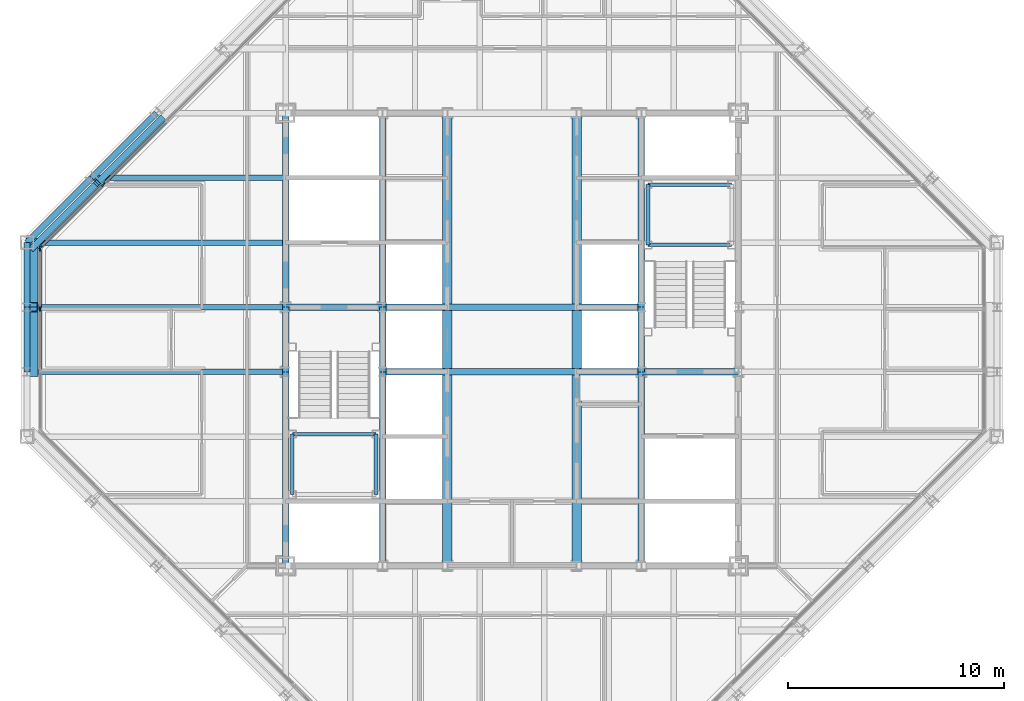
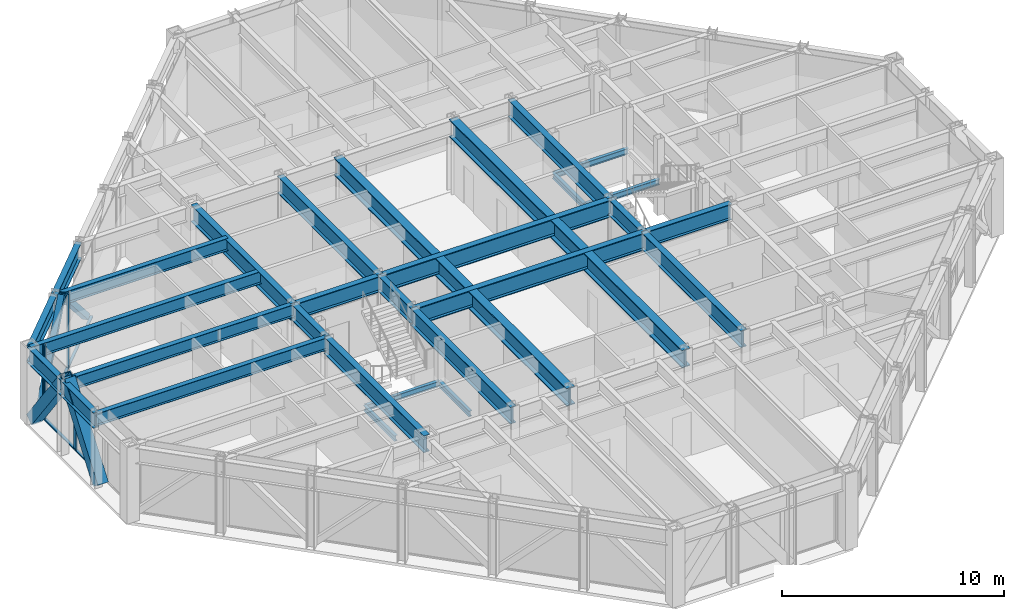
# One storey, part 6 of 15: 33 beams, 12 members, 2 elements without a shape of their own.
"""IFC4 building model written with IfcOpenShell, lengths in metres."""

from ifc_helpers import new_model, si_unit, direction, frame, origin, origin_2d, place, context, subcontext, project, spatial, rectangle, hollow_rectangle, i_section, extrude, material, layer, layer_set, material_profile, profile_set, type_object, element, aggregate, save


model = new_model("IFC4")

# Units and contexts
model_context = context("Model", 3, precision=1e-05, world=origin(), true_north=direction((0.0, 1.0)))
body_context = subcontext(model_context, "Body", "Model", "MODEL_VIEW")
ifc_project = project(units=[si_unit("LENGTHUNIT", "METRE"), si_unit("AREAUNIT", "SQUARE_METRE"), si_unit("VOLUMEUNIT", "CUBIC_METRE"), si_unit("PLANEANGLEUNIT", "RADIAN"), si_unit("MASSUNIT", "GRAM", prefix="KILO")], contexts=[model_context])

# Site, building, storey
site_placement = place(None, origin())
site = spatial("IfcSite", under=ifc_project, at=site_placement, CompositionType="ELEMENT")
building_placement = place(site_placement, origin())
building = spatial("IfcBuilding", under=site, at=building_placement, Name="Chuquiago Exchange Tower", CompositionType="ELEMENT")
storey_placement = place(building_placement, frame((0.0, 0.0, 291.60009765625)))
storey = spatial("IfcBuildingStorey", under=building, at=storey_placement, Name="L65", CompositionType="ELEMENT", Elevation=291.60009765625)

# Beams
ifc_material_1 = material(Name="Steel ASTM A992", Category="steel")
ifc_material_profile_1 = material_profile(ifc_material_1, i_section(OverallWidth=0.25390625, OverallDepth=0.683349609375, WebThickness=0.012451171875, FlangeThickness=0.018798828125, at=origin_2d()), Name="W27X94")
ifc_profile_set_1 = profile_set([ifc_material_profile_1], Name="Steel ASTM A992")
beam_type_1 = type_object("IfcBeamType", Name="B1 W27X94", PredefinedType="BEAM", material=ifc_profile_set_1)
for number, where, z_axis, x_axis, name in (
    (1, (12.0, 21.0, 3.6982421875), (-1.0, 0.0, 0.0), (0.0, -1.0, 0.0), "FB-L66-infill-12_21--0_21-0"),
    (2, (12.0, 24.0, 3.6982421875), (-1.0, 0.0, 0.0), (0.0, -1.0, 0.0), "FB-L66-infill-12_24--0_24-0"),
    (3, (12.0, 27.0, 3.6982421875), (-1.0, 0.0, 0.0), (0.0, -1.0, 0.0), "FB-L66-infill-12_27--0_27-0"),
):
    element("IfcBeam", number, at=place(storey_placement, frame(where, z_axis=z_axis, x_axis=x_axis)), inside=storey, type_object=beam_type_1, Name=name, PredefinedType="BEAM", context=body_context, shape_type="SweptSolid", body=[
        extrude(i_section(OverallWidth=0.25390625, OverallDepth=0.683349609375, WebThickness=0.012451171875, FlangeThickness=0.018798828125, at=origin_2d()), origin(), (0.0, 0.0, 1.0), 12.0),
    ])
beam_1_placement = place(storey_placement, frame((12.0, 30.0, 3.6982421875), z_axis=(-1.0, 0.0, 0.0), x_axis=(0.0, -1.0, 0.0)))
element("IfcBeam", 4, at=beam_1_placement, inside=storey, type_object=beam_type_1, Name="FB-L66-infill-12_30-3_30-0", PredefinedType="BEAM", context=body_context, shape_type="SweptSolid", body=[
    extrude(i_section(OverallWidth=0.25390625, OverallDepth=0.683349609375, WebThickness=0.012451171875, FlangeThickness=0.018798828125, at=origin_2d()), origin(), (0.0, 0.0, 1.0), 9.0),
])
ifc_material_2 = material(Name="Steel ASTM A992", Category="steel")
ifc_material_profile_2 = material_profile(ifc_material_2, i_section(OverallWidth=0.307373046875, OverallDepth=0.927001953125, WebThickness=0.01953125, FlangeThickness=0.031982421875, at=origin_2d()), Name="W36X194")
ifc_profile_set_2 = profile_set([ifc_material_profile_2], Name="Steel ASTM A992")
beam_type_2 = type_object("IfcBeamType", Name="B10 W36X194", PredefinedType="BEAM", material=ifc_profile_set_2)
for number, where, z_axis, x_axis, name in (
    (5, (12.0, 12.0, 3.576416015625), (0.0, 1.0, 0.0), (-1.0, 0.0, 0.0), "CB-L66-12_12-12_21"),
    (6, (12.0, 24.0, 3.576416015625), (0.0, 1.0, 0.0), (-1.0, 0.0, 0.0), "CB-L66-12_24-12_33"),
    (7, (16.5, 12.0, 3.576416015625), (0.0, 1.0, 0.0), (-1.0, 0.0, 0.0), "CB-L66-16.5_12-16.5_21"),
    (8, (16.5, 24.0, 3.576416015625), (0.0, 1.0, 0.0), (-1.0, 0.0, 0.0), "CB-L66-16.5_24-16.5_33"),
    (9, (28.5, 12.0, 3.576416015625), (0.0, 1.0, 0.0), (-1.0, 0.0, 0.0), "CB-L66-28.5_12-28.5_21"),
    (10, (28.5, 24.0, 3.576416015625), (0.0, 1.0, 0.0), (-1.0, 0.0, 0.0), "CB-L66-28.5_24-28.5_33"),
):
    element("IfcBeam", number, at=place(storey_placement, frame(where, z_axis=z_axis, x_axis=x_axis)), inside=storey, type_object=beam_type_2, Name=name, PredefinedType="BEAM", context=body_context, shape_type="SweptSolid", body=[
        extrude(i_section(OverallWidth=0.307373046875, OverallDepth=0.927001953125, WebThickness=0.01953125, FlangeThickness=0.031982421875, at=origin_2d()), origin(), (0.0, 0.0, 1.0), 9.0),
    ])
ifc_material_3 = material(Name="Steel ASTM A992", Category="steel")
ifc_material_profile_3 = material_profile(ifc_material_3, i_section(OverallWidth=0.309814453125, OverallDepth=0.949951171875, WebThickness=0.0244140625, FlangeThickness=0.0439453125, at=origin_2d()), Name="W36X256")
ifc_profile_set_3 = profile_set([ifc_material_profile_3], Name="Steel ASTM A992")
beam_type_3 = type_object("IfcBeamType", Name="B11 W36X256", PredefinedType="BEAM", material=ifc_profile_set_3)
for number, where, z_axis, x_axis, name in (
    (11, (16.5, 21.0, 3.56494140625), (1.0, 0.0, 0.0), (0.0, 1.0, 0.0), "CB-L66-16.5_21-28.5_21"),
    (12, (16.5, 24.0, 3.56494140625), (1.0, 0.0, 0.0), (0.0, 1.0, 0.0), "CB-L66-16.5_24-28.5_24"),
):
    element("IfcBeam", number, at=place(storey_placement, frame(where, z_axis=z_axis, x_axis=x_axis)), inside=storey, type_object=beam_type_3, Name=name, PredefinedType="BEAM", context=body_context, shape_type="SweptSolid", body=[
        extrude(i_section(OverallWidth=0.309814453125, OverallDepth=0.949951171875, WebThickness=0.0244140625, FlangeThickness=0.0439453125, at=origin_2d()), origin(), (0.0, 0.0, 1.0), 12.0),
    ])
ifc_material_4 = material(Name="Steel ASTM A992", Category="steel")
ifc_material_profile_4 = material_profile(ifc_material_4, i_section(OverallWidth=0.4267578125, OverallDepth=0.975341796875, WebThickness=0.031005859375, FlangeThickness=0.055908203125, at=origin_2d()), Name="W36X395")
ifc_profile_set_4 = profile_set([ifc_material_profile_4], Name="Steel ASTM A992")
beam_type_4 = type_object("IfcBeamType", Name="B12 W36X395", PredefinedType="BEAM", material=ifc_profile_set_4)
beam_2_placement = place(storey_placement, frame((19.5, 12.0, 3.55224609375), z_axis=(0.0, 1.0, 0.0), x_axis=(-1.0, 0.0, 0.0)))
element("IfcBeam", 13, at=beam_2_placement, inside=storey, type_object=beam_type_4, Name="CB-L66-19.5_12-19.5_20.8451", PredefinedType="BEAM", context=body_context, shape_type="SweptSolid", body=[
    extrude(i_section(OverallWidth=0.4267578125, OverallDepth=0.975341796875, WebThickness=0.031005859375, FlangeThickness=0.055908203125, at=origin_2d()), origin(), (0.0, 0.0, 1.0), 8.84521484375),
])
beam_3_placement = place(storey_placement, frame((19.5, 21.15478515625, 3.55224609375), z_axis=(0.0, 1.0, 0.0), x_axis=(-1.0, 0.0, 0.0)))
element("IfcBeam", 14, at=beam_3_placement, inside=storey, type_object=beam_type_4, Name="CB-L66-19.5_21.1549-19.5_23.8451", PredefinedType="BEAM", context=body_context, shape_type="SweptSolid", body=[
    extrude(i_section(OverallWidth=0.4267578125, OverallDepth=0.975341796875, WebThickness=0.031005859375, FlangeThickness=0.055908203125, at=origin_2d()), origin(), (0.0, 0.0, 1.0), 2.6904296875),
])
for number, where, z_axis, x_axis, name in (
    (15, (19.5, 24.15478515625, 3.55224609375), (0.0, 1.0, 0.0), (-1.0, 0.0, 0.0), "CB-L66-19.5_24.1549-19.5_33"),
    (16, (25.5, 12.0, 3.55224609375), (0.0, 1.0, 0.0), (-1.0, 0.0, 0.0), "CB-L66-25.5_12-25.5_20.8451"),
):
    element("IfcBeam", number, at=place(storey_placement, frame(where, z_axis=z_axis, x_axis=x_axis)), inside=storey, type_object=beam_type_4, Name=name, PredefinedType="BEAM", context=body_context, shape_type="SweptSolid", body=[
        extrude(i_section(OverallWidth=0.4267578125, OverallDepth=0.975341796875, WebThickness=0.031005859375, FlangeThickness=0.055908203125, at=origin_2d()), origin(), (0.0, 0.0, 1.0), 8.84521484375),
    ])
beam_4_placement = place(storey_placement, frame((25.5, 21.15478515625, 3.55224609375), z_axis=(0.0, 1.0, 0.0), x_axis=(-1.0, 0.0, 0.0)))
element("IfcBeam", 17, at=beam_4_placement, inside=storey, type_object=beam_type_4, Name="CB-L66-25.5_21.1549-25.5_23.8451", PredefinedType="BEAM", context=body_context, shape_type="SweptSolid", body=[
    extrude(i_section(OverallWidth=0.4267578125, OverallDepth=0.975341796875, WebThickness=0.031005859375, FlangeThickness=0.055908203125, at=origin_2d()), origin(), (0.0, 0.0, 1.0), 2.6904296875),
])
beam_5_placement = place(storey_placement, frame((25.5, 24.15478515625, 3.55224609375), z_axis=(0.0, 1.0, 0.0), x_axis=(-1.0, 0.0, 0.0)))
element("IfcBeam", 18, at=beam_5_placement, inside=storey, type_object=beam_type_4, Name="CB-L66-25.5_24.1549-25.5_33", PredefinedType="BEAM", context=body_context, shape_type="SweptSolid", body=[
    extrude(i_section(OverallWidth=0.4267578125, OverallDepth=0.975341796875, WebThickness=0.031005859375, FlangeThickness=0.055908203125, at=origin_2d()), origin(), (0.0, 0.0, 1.0), 8.84521484375),
])
ifc_material_5 = material(Name="Steel ASTM A992", Category="steel")
ifc_material_profile_5 = material_profile(ifc_material_5, i_section(OverallWidth=0.2919921875, OverallDepth=0.8583984375, WebThickness=0.01708984375, FlangeThickness=0.031005859375, at=origin_2d()), Name="W33X169")
ifc_profile_set_5 = profile_set([ifc_material_profile_5], Name="Steel ASTM A992")
beam_type_5 = type_object("IfcBeamType", Name="B3 W33X169", PredefinedType="BEAM", material=ifc_profile_set_5)
for number, where, z_axis, x_axis, name in (
    (19, (12.0, 21.0, 3.610595703125), (0.0, 1.0, 0.0), (-1.0, 0.0, 0.0), "CB-L66-12_21-12_24"),
    (20, (16.5, 21.0, 3.610595703125), (0.0, 1.0, 0.0), (-1.0, 0.0, 0.0), "CB-L66-16.5_21-16.5_24"),
    (21, (28.5, 21.0, 3.610595703125), (0.0, 1.0, 0.0), (-1.0, 0.0, 0.0), "CB-L66-28.5_21-28.5_24"),
):
    element("IfcBeam", number, at=place(storey_placement, frame(where, z_axis=z_axis, x_axis=x_axis)), inside=storey, type_object=beam_type_5, Name=name, PredefinedType="BEAM", context=body_context, shape_type="SweptSolid", body=[
        extrude(i_section(OverallWidth=0.2919921875, OverallDepth=0.8583984375, WebThickness=0.01708984375, FlangeThickness=0.031005859375, at=origin_2d()), origin(), (0.0, 0.0, 1.0), 3.0),
    ])
for number, where, z_axis, x_axis, name in (
    (22, (28.5, 21.0, 3.610595703125), (1.0, 0.0, 0.0), (0.0, 1.0, 0.0), "CB-L66-28.5_21-33_21"),
    (23, (12.0, 24.0, 3.610595703125), (1.0, 0.0, 0.0), (0.0, 1.0, 0.0), "CB-L66-12_24-16.5_24"),
):
    element("IfcBeam", number, at=place(storey_placement, frame(where, z_axis=z_axis, x_axis=x_axis)), inside=storey, type_object=beam_type_5, Name=name, PredefinedType="BEAM", context=body_context, shape_type="SweptSolid", body=[
        extrude(i_section(OverallWidth=0.2919921875, OverallDepth=0.8583984375, WebThickness=0.01708984375, FlangeThickness=0.031005859375, at=origin_2d()), origin(), (0.0, 0.0, 1.0), 4.5),
    ])

# Curtain wall, members
ifc_material_6 = material(Name="Aluminium curtain wall system", Category="aluminium")
ifc_layer_1 = layer(ifc_material_6, 0.22509765625)
ifc_layer_set_1 = layer_set([ifc_layer_1], Name="CW2 office curtain wall")
curtain_wall_type_1 = type_object("IfcCurtainWallType", Name="CW2 office curtain wall", PredefinedType="NOTDEFINED", material=ifc_layer_set_1)
curtain_wall_1_placement = place(storey_placement, origin())
curtain_wall_1 = element("IfcCurtainWall", 24, at=curtain_wall_1_placement, inside=storey, type_object=curtain_wall_type_1, Name="CW2 curtain wall L65", PredefinedType="NOTDEFINED")
ifc_material_7 = material(Name="Aluminium mullion, pale anodised", Category="aluminium")
ifc_material_profile_6 = material_profile(ifc_material_7, rectangle(XDim=0.06494140625, YDim=0.22509765625, at=origin_2d()), Name="AL 65x225")
ifc_profile_set_6 = profile_set([ifc_material_profile_6], Name="Aluminium mullion, pale anodised")
member_type_1 = type_object("IfcMemberType", Name="CW2-M mullion 65x225", PredefinedType="MULLION", material=ifc_profile_set_6)
member_1_placement = place(storey_placement, frame((0.60009765625, 26.718994140625, 0.0), z_axis=(0.0, 0.0, 1.0), x_axis=(1.0, 0.0, 0.0)))
member_1 = element("IfcMember", 25, at=member_1_placement, type_object=member_type_1, Name="CW2 mullion 1", PredefinedType="MULLION", context=body_context, shape_type="SweptSolid", body=[
    extrude(rectangle(XDim=0.06494140625, YDim=0.22509765625, at=origin_2d()), origin(), (0.0, 0.0, 1.0), 4.039794921875),
])
member_2_placement = place(storey_placement, frame((0.60009765625, 23.917236328125, 0.0), z_axis=(0.0, 0.0, 1.0), x_axis=(1.0, 0.0, 0.0)))
member_2 = element("IfcMember", 26, at=member_2_placement, type_object=member_type_1, Name="CW2 mullion 2", PredefinedType="MULLION", context=body_context, shape_type="SweptSolid", body=[
    extrude(rectangle(XDim=0.06494140625, YDim=0.22509765625, at=origin_2d()), origin(), (0.0, 0.0, 1.0), 4.039794921875),
])
ifc_material_8 = material(Name="Aluminium transom, pale anodised", Category="aluminium")
ifc_material_profile_7 = material_profile(ifc_material_8, rectangle(XDim=0.139892578125, YDim=0.06494140625, at=origin_2d()), Name="AL 140x65")
ifc_profile_set_7 = profile_set([ifc_material_profile_7], Name="Aluminium transom, pale anodised")
member_type_2 = type_object("IfcMemberType", Name="CW2-T transom 65x140", PredefinedType="MULLION", material=ifc_profile_set_7)
member_3_placement = place(storey_placement, frame((0.60009765625, 26.6865234375, 0.032470703125), z_axis=(0.0, -1.0, 0.0), x_axis=(1.0, 0.0, 0.0)))
member_3 = element("IfcMember", 27, at=member_3_placement, type_object=member_type_2, Name="CW2 transom 1.1", PredefinedType="MULLION", context=body_context, shape_type="SweptSolid", body=[
    extrude(rectangle(XDim=0.139892578125, YDim=0.06494140625, at=origin_2d()), origin(), (0.0, 0.0, 1.0), 2.73681640625),
])
member_4_placement = place(storey_placement, frame((0.60009765625, 23.884765625, 0.032470703125), z_axis=(0.0, -1.0, 0.0), x_axis=(1.0, 0.0, 0.0)))
member_4 = element("IfcMember", 28, at=member_4_placement, type_object=member_type_2, Name="CW2 transom 2.1", PredefinedType="MULLION", context=body_context, shape_type="SweptSolid", body=[
    extrude(rectangle(XDim=0.139892578125, YDim=0.06494140625, at=origin_2d()), origin(), (0.0, 0.0, 1.0), 2.76953125),
])
aggregate(curtain_wall_1, [member_1, member_2, member_3, member_4])

ifc_material_9 = material(Name="Aluminium curtain wall system", Category="aluminium")
ifc_layer_2 = layer(ifc_material_9, 0.199951171875)
ifc_layer_set_2 = layer_set([ifc_layer_2], Name="CW3 facet curtain wall")
curtain_wall_type_2 = type_object("IfcCurtainWallType", Name="CW3 facet curtain wall", PredefinedType="NOTDEFINED", material=ifc_layer_set_2)
curtain_wall_2_placement = place(storey_placement, origin())
curtain_wall_2 = element("IfcCurtainWall", 29, at=curtain_wall_2_placement, inside=storey, type_object=curtain_wall_type_2, Name="CW3 curtain wall L65", PredefinedType="NOTDEFINED")
ifc_material_10 = material(Name="Aluminium mullion, pale anodised", Category="aluminium")
ifc_material_profile_8 = material_profile(ifc_material_10, rectangle(XDim=0.06494140625, YDim=0.199951171875, at=origin_2d()), Name="AL 65x200")
ifc_profile_set_8 = profile_set([ifc_material_profile_8], Name="Aluminium mullion, pale anodised")
member_type_3 = type_object("IfcMemberType", Name="CW3-M mullion 65x200", PredefinedType="MULLION", material=ifc_profile_set_8)
member_5_placement = place(storey_placement, frame((3.54150390625, 29.69287109375, 0.0), z_axis=(0.0, 0.0, 1.0), x_axis=(0.707106781187, -0.707106781187, 0.0)))
member_5 = element("IfcMember", 30, at=member_5_placement, type_object=member_type_3, Name="CW3 mullion 6", PredefinedType="MULLION", context=body_context, shape_type="SweptSolid", body=[
    extrude(rectangle(XDim=0.06494140625, YDim=0.199951171875, at=origin_2d()), origin(), (0.0, 0.0, 1.0), 4.039794921875),
])
member_6_placement = place(storey_placement, frame((0.623046875, 26.7744140625, 0.0), z_axis=(0.0, 0.0, 1.0), x_axis=(0.707106781187, -0.707106781187, 0.0)))
member_6 = element("IfcMember", 31, at=member_6_placement, type_object=member_type_3, Name="CW3 mullion 7", PredefinedType="MULLION", context=body_context, shape_type="SweptSolid", body=[
    extrude(rectangle(XDim=0.06494140625, YDim=0.199951171875, at=origin_2d()), origin(), (0.0, 0.0, 1.0), 4.039794921875),
])
ifc_material_11 = material(Name="Aluminium transom, pale anodised", Category="aluminium")
ifc_material_profile_9 = material_profile(ifc_material_11, rectangle(XDim=0.139892578125, YDim=0.06494140625, at=origin_2d()), Name="AL 140x65")
ifc_profile_set_9 = profile_set([ifc_material_profile_9], Name="Aluminium transom, pale anodised")
member_type_4 = type_object("IfcMemberType", Name="CW3-T transom 65x140", PredefinedType="MULLION", material=ifc_profile_set_9)
member_7_placement = place(storey_placement, frame((6.4599609375, 32.611328125, 0.032470703125), z_axis=(-0.707106781187, -0.707106781187, 0.0), x_axis=(0.707106781187, -0.707106781187, 0.0)))
member_7 = element("IfcMember", 32, at=member_7_placement, type_object=member_type_4, Name="CW3 transom 5.1", PredefinedType="MULLION", context=body_context, shape_type="SweptSolid", body=[
    extrude(rectangle(XDim=0.139892578125, YDim=0.06494140625, at=origin_2d()), origin(), (0.0, 0.0, 1.0), 4.094970703125),
])
member_8_placement = place(storey_placement, frame((3.5185546875, 29.669921875, 0.032470703125), z_axis=(-0.707106781187, -0.707106781187, 0.0), x_axis=(0.707106781187, -0.707106781187, 0.0)))
member_8 = element("IfcMember", 33, at=member_8_placement, type_object=member_type_4, Name="CW3 transom 6.1", PredefinedType="MULLION", context=body_context, shape_type="SweptSolid", body=[
    extrude(rectangle(XDim=0.139892578125, YDim=0.06494140625, at=origin_2d()), origin(), (0.0, 0.0, 1.0), 4.0625),
])
aggregate(curtain_wall_2, [member_5, member_6, member_7, member_8])

# Members
ifc_material_12 = material(Name="Steel ASTM A500 Grade C", Category="steel")
ifc_material_profile_10 = material_profile(ifc_material_12, hollow_rectangle(XDim=0.3046875, YDim=0.3046875, WallThickness=0.0146484375, at=origin_2d()), Name="HSS12X12X5/8")
ifc_profile_set_10 = profile_set([ifc_material_profile_10], Name="Steel ASTM A500 Grade C")
member_type_5 = type_object("IfcMemberType", Name="LB3 HSS12X12X5/8", PredefinedType="BRACE", material=ifc_profile_set_10)
for number, where, z_axis, x_axis, name in (
    (34, (6.249267578125, 32.750732421875, 0.0), (-0.51209198167, -0.51209198167, 0.689582195694), (0.707106781187, -0.707106781187, 0.0), "LB-L65-6_33-3_30"),
    (35, (0.249267578125, 26.750732421875, 0.0), (0.51209198167, 0.51209198167, 0.689582195694), (-0.707106781187, 0.707106781187, 0.0), "LB-L65-3_30-0_27"),
):
    element("IfcMember", number, at=place(storey_placement, frame(where, z_axis=z_axis, x_axis=x_axis)), inside=storey, type_object=member_type_5, Name=name, PredefinedType="BRACE", context=body_context, shape_type="SweptSolid", body=[
        extrude(hollow_rectangle(XDim=0.3046875, YDim=0.3046875, WallThickness=0.0146484375, at=origin_2d()), origin(), (0.0, 0.0, 1.0), 5.8583984375),
    ])

# Beams
ifc_material_13 = material(Name="Steel ASTM A992", Category="steel")
ifc_material_profile_11 = material_profile(ifc_material_13, i_section(OverallWidth=0.164794921875, OverallDepth=0.309814453125, WebThickness=0.005859375, FlangeThickness=0.009765625, at=origin_2d()), Name="W12X26")
ifc_profile_set_11 = profile_set([ifc_material_profile_11], Name="Steel ASTM A992")
beam_type_6 = type_object("IfcBeamType", Name="LS1 W12X26", PredefinedType="BEAM", material=ifc_profile_set_11)
for number, where, z_axis, x_axis, name in (
    (36, (12.31005859375, 15.31005859375, 1.7451171875), (0.0, 1.0, 0.0), (-1.0, 0.0, 0.0), "Stair ST1 L65 landing 1 stringer"),
    (37, (16.18994140625, 15.31005859375, 1.7451171875), (0.0, 1.0, 0.0), (-1.0, 0.0, 0.0), "Stair ST1 L65 landing 1 stringer"),
    (38, (28.81005859375, 26.889892578125, 1.7451171875), (0.0, 1.0, 0.0), (-1.0, 0.0, 0.0), "Stair ST2 L65 landing 1 stringer"),
):
    element("IfcBeam", number, at=place(storey_placement, frame(where, z_axis=z_axis, x_axis=x_axis)), inside=storey, type_object=beam_type_6, Name=name, PredefinedType="BEAM", context=body_context, shape_type="SweptSolid", body=[
        extrude(i_section(OverallWidth=0.164794921875, OverallDepth=0.309814453125, WebThickness=0.005859375, FlangeThickness=0.009765625, at=origin_2d()), origin(), (0.0, 0.0, 1.0), 2.800048828125),
    ])
ifc_material_14 = material(Name="Steel ASTM A992", Category="steel")
ifc_material_profile_12 = material_profile(ifc_material_14, i_section(OverallWidth=0.164794921875, OverallDepth=0.309814453125, WebThickness=0.005859375, FlangeThickness=0.009765625, at=origin_2d()), Name="W12X26")
ifc_profile_set_12 = profile_set([ifc_material_profile_12], Name="Steel ASTM A992")
beam_type_7 = type_object("IfcBeamType", Name="LT1 W12X26", PredefinedType="BEAM", material=ifc_profile_set_12)
for number, where, z_axis, x_axis, name in (
    (39, (12.31005859375, 18.110107421875, 1.7451171875), (1.0, 0.0, 0.0), (0.0, 1.0, 0.0), "Stair ST1 L65 landing 1 trimmer"),
    (40, (28.81005859375, 29.68994140625, 1.7451171875), (1.0, 0.0, 0.0), (0.0, 1.0, 0.0), "Stair ST2 L65 landing 1 trimmer"),
    (41, (28.81005859375, 26.889892578125, 1.7451171875), (1.0, 0.0, 0.0), (0.0, 1.0, 0.0), "Stair ST2 L65 landing 1 trimmer"),
):
    element("IfcBeam", number, at=place(storey_placement, frame(where, z_axis=z_axis, x_axis=x_axis)), inside=storey, type_object=beam_type_7, Name=name, PredefinedType="BEAM", context=body_context, shape_type="SweptSolid", body=[
        extrude(i_section(OverallWidth=0.164794921875, OverallDepth=0.309814453125, WebThickness=0.005859375, FlangeThickness=0.009765625, at=origin_2d()), origin(), (0.0, 0.0, 1.0), 3.8798828125),
    ])

# Members
ifc_material_15 = material(Name="Steel ASTM A572 Grade 50", Category="steel")
ifc_material_profile_13 = material_profile(ifc_material_15, hollow_rectangle(XDim=0.550048828125, YDim=0.550048828125, WallThickness=0.044921875, at=origin_2d()), Name="BOX550X550X45")
ifc_profile_set_13 = profile_set([ifc_material_profile_13], Name="Steel ASTM A572 Grade 50")
member_type_6 = type_object("IfcMemberType", Name="MB4 BOX550X550X45", PredefinedType="BRACE", material=ifc_profile_set_13)
for number, where, z_axis, x_axis, name in (
    (42, (0.22998046875, 27.0, 0.0), (0.0, -0.596197146086, 0.802838067732), (1.0, 0.0, 0.0), "Mega diagonal L65 W face"),
    (43, (0.22998046875, 21.0, 0.0), (0.0, 0.596197146086, 0.802838067732), (-1.0, 0.0, 0.0), "Mega diagonal L65 W face"),
):
    element("IfcMember", number, at=place(storey_placement, frame(where, z_axis=z_axis, x_axis=x_axis)), inside=storey, type_object=member_type_6, Name=name, PredefinedType="BRACE", context=body_context, shape_type="SweptSolid", body=[
        extrude(hollow_rectangle(XDim=0.550048828125, YDim=0.550048828125, WallThickness=0.044921875, at=origin_2d()), origin(), (0.0, 0.0, 1.0), 5.031982421875),
    ])

# Beams
ifc_material_16 = material(Name="Steel ASTM A992", Category="steel")
ifc_material_profile_14 = material_profile(ifc_material_16, i_section(OverallWidth=0.2919921875, OverallDepth=0.8583984375, WebThickness=0.01708984375, FlangeThickness=0.031005859375, at=origin_2d()), Name="W33X169")
ifc_profile_set_14 = profile_set([ifc_material_profile_14], Name="Steel ASTM A992")
beam_type_8 = type_object("IfcBeamType", Name="SP4 W33X169", PredefinedType="SPANDREL", material=ifc_profile_set_14)
for number, where, z_axis, x_axis, name in (
    (44, (6.0, 33.0, 3.610595703125), (-0.707106781187, -0.707106781187, 0.0), (0.707106781187, -0.707106781187, 0.0), "SPB-L66-6_33-3_30"),
    (45, (3.0, 30.0, 3.610595703125), (-0.707106781187, -0.707106781187, 0.0), (0.707106781187, -0.707106781187, 0.0), "SPB-L66-3_30-0_27"),
):
    element("IfcBeam", number, at=place(storey_placement, frame(where, z_axis=z_axis, x_axis=x_axis)), inside=storey, type_object=beam_type_8, Name=name, PredefinedType="SPANDREL", context=body_context, shape_type="SweptSolid", body=[
        extrude(i_section(OverallWidth=0.2919921875, OverallDepth=0.8583984375, WebThickness=0.01708984375, FlangeThickness=0.031005859375, at=origin_2d()), origin(), (0.0, 0.0, 1.0), 4.24267578125),
    ])
for number, where, z_axis, x_axis, name in (
    (46, (0.0, 27.0, 3.610595703125), (0.0, -1.0, 0.0), (1.0, 0.0, 0.0), "SPB-L66-0_27-0_24"),
    (47, (0.0, 24.0, 3.610595703125), (0.0, -1.0, 0.0), (1.0, 0.0, 0.0), "SPB-L66-0_24-0_21"),
):
    element("IfcBeam", number, at=place(storey_placement, frame(where, z_axis=z_axis, x_axis=x_axis)), inside=storey, type_object=beam_type_8, Name=name, PredefinedType="SPANDREL", context=body_context, shape_type="SweptSolid", body=[
        extrude(i_section(OverallWidth=0.2919921875, OverallDepth=0.8583984375, WebThickness=0.01708984375, FlangeThickness=0.031005859375, at=origin_2d()), origin(), (0.0, 0.0, 1.0), 3.0),
    ])

save(model, "model.ifc")
